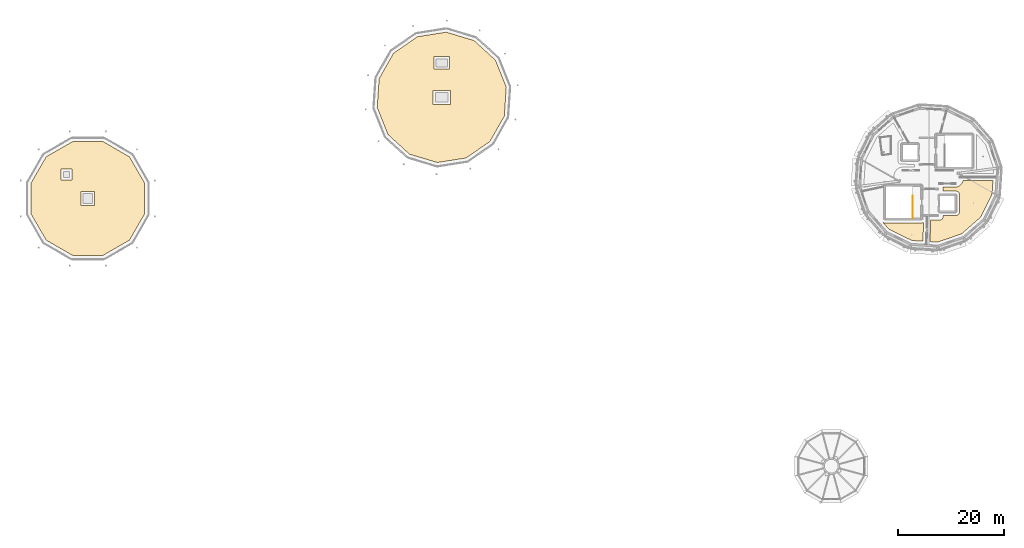
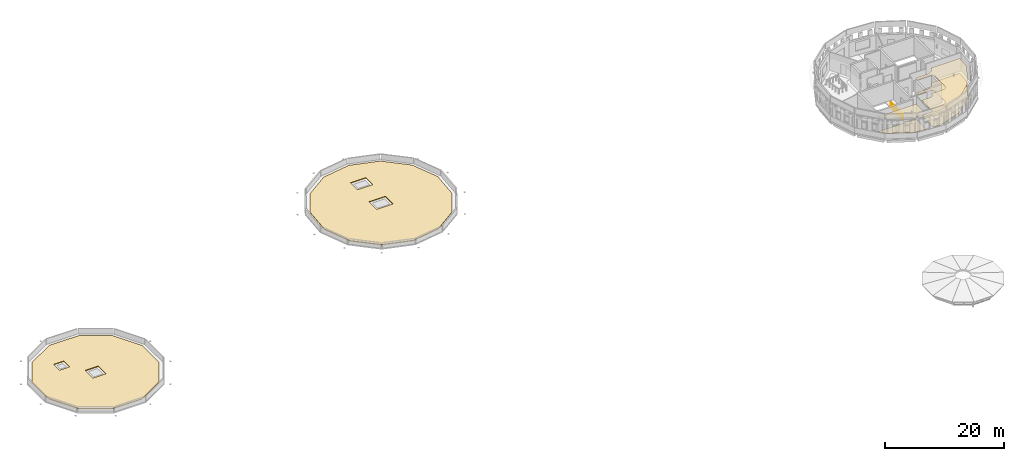
# One storey, part 17 of 18: 6 coverings, 1 railing.
"""IFC4 building model written with IfcOpenShell, lengths in metres."""

from ifc_helpers import new_model, si_unit, direction, frame, origin, origin_2d, place, context, subcontext, project, spatial, polyline, circle, outline, extrude, material, layer, layer_set, type_object, element, save


model = new_model("IFC4")

# Units and contexts
model_context = context("Model", 3, precision=1e-05, world=origin(), true_north=direction((0.0, 1.0)))
body_context = subcontext(model_context, "Body", "Model", "MODEL_VIEW")
ifc_project = project(units=[si_unit("LENGTHUNIT", "METRE"), si_unit("AREAUNIT", "SQUARE_METRE"), si_unit("VOLUMEUNIT", "CUBIC_METRE"), si_unit("PLANEANGLEUNIT", "RADIAN"), si_unit("MASSUNIT", "GRAM", prefix="KILO")], contexts=[model_context])

# Site, building, storey
site_placement = place(None, origin())
site = spatial("IfcSite", under=ifc_project, at=site_placement, CompositionType="ELEMENT")
building_placement = place(site_placement, origin())
building = spatial("IfcBuilding", under=site, at=building_placement, Name="Wrenclough Park School", CompositionType="ELEMENT")
storey_placement = place(building_placement, frame((0.0, 0.0, 20.800048828125)))
storey = spatial("IfcBuildingStorey", under=building, at=storey_placement, Name="L05", CompositionType="ELEMENT", Elevation=20.800048828125)

# Coverings
ifc_material_1 = material(Name="Extensive sedum and wildflower green roof build-up", Category="masonry")
ifc_layer_1 = layer(ifc_material_1, 0.14990234375)
ifc_layer_set_1 = layer_set([ifc_layer_1], Name="Extensive sedum and wildflower green roof build-up")
covering_type_1 = type_object("IfcCoveringType", Name="ENV-COV-GREEN", PredefinedType="ROOFING", material=ifc_layer_set_1)
covering_1_placement = place(storey_placement, origin())
element("IfcCovering", 1, at=covering_1_placement, inside=storey, type_object=covering_type_1, Name="Cylindrical drum roof covering COV-RF-D3", PredefinedType="ROOFING", context=body_context, shape_type="SweptSolid", body=[
    extrude(outline(polyline([(24.326416015625, 81.673583984375), (27.191162109375, 86.635498046875), (27.191162109375, 92.364501953125), (24.326416015625, 97.326416015625), (19.364501953125, 100.191162109375), (13.635498046875, 100.191162109375), (8.673583984375, 97.326416015625), (5.808837890625, 92.364501953125), (5.808837890625, 86.635498046875), (8.673583984375, 81.673583984375), (13.635498046875, 78.808837890625), (19.364501953125, 78.808837890625), (24.326416015625, 81.673583984375)]), holes=[polyline([(15.199951171875, 90.800048828125), (15.199951171875, 88.199951171875), (17.800048828125, 88.199951171875), (17.800048828125, 90.800048828125), (15.199951171875, 90.800048828125)]), polyline([(13.5, 95.0), (11.5, 95.0), (11.5, 93.0), (13.5, 93.0), (13.5, 95.0)])]), origin(), (0.0, 0.0, 1.0), 0.14990234375),
])
covering_2_placement = place(storey_placement, origin())
element("IfcCovering", 2, at=covering_2_placement, inside=storey, type_object=covering_type_1, Name="Cylindrical drum roof covering COV-RF-D4", PredefinedType="ROOFING", context=body_context, shape_type="SweptSolid", body=[
    extrude(outline(polyline([(92.061767578125, 100.217041015625), (94.75830078125, 104.96923828125), (95.125732421875, 110.42041015625), (93.091552734375, 115.491455078125), (89.05859375, 119.177734375), (83.825927734375, 120.7490234375), (78.429443359375, 119.894287109375), (73.938232421875, 116.782958984375), (71.24169921875, 112.03076171875), (70.874267578125, 106.57958984375), (72.908447265625, 101.508544921875), (76.94140625, 97.822265625), (82.174072265625, 96.2509765625), (87.570556640625, 97.105712890625), (92.061767578125, 100.217041015625)]), holes=[polyline([(81.39990234375, 109.800048828125), (81.39990234375, 107.199951171875), (84.60009765625, 107.199951171875), (84.60009765625, 109.800048828125), (81.39990234375, 109.800048828125)]), polyline([(84.5, 116.199951171875), (81.5, 116.199951171875), (81.5, 113.800048828125), (84.5, 113.800048828125), (84.5, 116.199951171875)])]), origin(), (0.0, 0.0, 1.0), 0.14990234375),
])
ifc_material_2 = material(Name="Class A mineral-fibre acoustic ceiling raft", Category="gypsum")
ifc_layer_2 = layer(ifc_material_2, 0.044921875)
ifc_layer_set_2 = layer_set([ifc_layer_2], Name="Class A mineral-fibre acoustic ceiling raft")
covering_type_2 = type_object("IfcCoveringType", Name="INT-COV-CEIL", PredefinedType="CEILING", material=ifc_layer_set_2)
covering_3_placement = place(storey_placement, frame((0.0, 0.0, 3.054931640625)))
element("IfcCovering", 3, at=covering_3_placement, inside=storey, type_object=covering_type_2, Name="Sixth Form Silent Study Hall acoustic ceiling raft", PredefinedType="CEILING", context=body_context, shape_type="SweptSolid", body=[
    extrude(outline(polyline([(179.56298828125, 91.62060546875), (177.162841796875, 91.61083984375), (177.169921875, 91.52001953125), (177.169921875, 90.8701171875), (179.68359375, 90.866943359375), (179.80859375, 90.842041015625), (179.86865234375, 90.820556640625), (179.981201171875, 90.760498046875), (180.07958984375, 90.6796875), (180.160400390625, 90.5810546875), (180.193115234375, 90.5263671875), (180.241943359375, 90.40869140625), (180.257568359375, 90.3466796875), (180.27001953125, 90.219970703125), (180.27001953125, 86.97998046875), (180.257568359375, 86.853271484375), (180.220458984375, 86.731201171875), (180.193115234375, 86.673583984375), (180.12255859375, 86.567626953125), (180.07958984375, 86.5205078125), (179.981201171875, 86.439453125), (179.86865234375, 86.37939453125), (179.80859375, 86.35791015625), (179.68359375, 86.3330078125), (177.169921875, 86.330078125), (177.1669921875, 86.016357421875), (177.14208984375, 85.891357421875), (177.09326171875, 85.773681640625), (177.0224609375, 85.66748046875), (176.9794921875, 85.620361328125), (176.881103515625, 85.53955078125), (176.768798828125, 85.4794921875), (176.646728515625, 85.4423828125), (176.52001953125, 85.429931640625), (174.86865234375, 85.429931640625), (174.727294921875, 81.382568359375), (176.107177734375, 81.2919921875), (180.656494140625, 82.836181640625), (184.268798828125, 86.00390625), (186.393798828125, 90.31298828125), (186.56005859375, 92.85009765625), (180.950927734375, 92.85009765625), (180.864990234375, 92.588623046875), (180.687255859375, 92.283447265625), (180.643798828125, 92.2197265625), (180.593017578125, 92.16162109375), (180.40771484375, 91.978515625), (180.18115234375, 91.822998046875), (180.1123046875, 91.782958984375), (180.039306640625, 91.751708984375), (179.708740234375, 91.6376953125), (179.636474609375, 91.625), (179.56298828125, 91.62060546875)])), origin(), (0.0, 0.0, 1.0), 0.044921875),
])
covering_4_placement = place(storey_placement, frame((0.0, 0.0, 3.054931640625)))
element("IfcCovering", 4, at=covering_4_placement, inside=storey, type_object=covering_type_2, Name="Sixth Form Common Studio acoustic ceiling raft", PredefinedType="CEILING", context=body_context, shape_type="SweptSolid", body=[
    extrude(outline(polyline([(165.931396484375, 84.9794921875), (165.893798828125, 84.997314453125), (167.00390625, 83.731201171875), (171.31298828125, 81.606201171875), (173.409423828125, 81.46875), (173.533203125, 85.0107421875), (173.40869140625, 84.9580078125), (173.3466796875, 84.9423828125), (173.219970703125, 84.929931640625), (166.179931640625, 84.929931640625), (166.05322265625, 84.9423828125), (165.931396484375, 84.9794921875)])), origin(), (0.0, 0.0, 1.0), 0.044921875),
])
ifc_material_3 = material(Name="Acoustic natural linoleum school flooring", Category="wood")
ifc_layer_3 = layer(ifc_material_3, 0.014892578125)
ifc_layer_set_3 = layer_set([ifc_layer_3], Name="Acoustic natural linoleum school flooring")
covering_type_3 = type_object("IfcCoveringType", Name="INT-COV-FLOOR1", PredefinedType="FLOORING", material=ifc_layer_set_3)
covering_5_placement = place(storey_placement, origin())
element("IfcCovering", 5, at=covering_5_placement, inside=storey, type_object=covering_type_3, Name="Sixth Form Silent Study Hall floor finish", PredefinedType="FLOORING", context=body_context, shape_type="SweptSolid", body=[
    extrude(outline(polyline([(179.56298828125, 91.62060546875), (177.162841796875, 91.61083984375), (177.169921875, 91.52001953125), (177.169921875, 90.8701171875), (179.68359375, 90.866943359375), (179.80859375, 90.842041015625), (179.86865234375, 90.820556640625), (179.981201171875, 90.760498046875), (180.07958984375, 90.6796875), (180.160400390625, 90.5810546875), (180.193115234375, 90.5263671875), (180.241943359375, 90.40869140625), (180.257568359375, 90.3466796875), (180.27001953125, 90.219970703125), (180.27001953125, 86.97998046875), (180.257568359375, 86.853271484375), (180.220458984375, 86.731201171875), (180.193115234375, 86.673583984375), (180.12255859375, 86.567626953125), (180.07958984375, 86.5205078125), (179.981201171875, 86.439453125), (179.86865234375, 86.37939453125), (179.80859375, 86.35791015625), (179.68359375, 86.3330078125), (177.169921875, 86.330078125), (177.1669921875, 86.016357421875), (177.14208984375, 85.891357421875), (177.09326171875, 85.773681640625), (177.0224609375, 85.66748046875), (176.9794921875, 85.620361328125), (176.881103515625, 85.53955078125), (176.768798828125, 85.4794921875), (176.646728515625, 85.4423828125), (176.52001953125, 85.429931640625), (174.86865234375, 85.429931640625), (174.727294921875, 81.382568359375), (176.107177734375, 81.2919921875), (180.656494140625, 82.836181640625), (184.268798828125, 86.00390625), (186.393798828125, 90.31298828125), (186.56005859375, 92.85009765625), (180.950927734375, 92.85009765625), (180.864990234375, 92.588623046875), (180.687255859375, 92.283447265625), (180.643798828125, 92.2197265625), (180.593017578125, 92.16162109375), (180.40771484375, 91.978515625), (180.18115234375, 91.822998046875), (180.1123046875, 91.782958984375), (180.039306640625, 91.751708984375), (179.708740234375, 91.6376953125), (179.636474609375, 91.625), (179.56298828125, 91.62060546875)])), origin(), (0.0, 0.0, 1.0), 0.014892578125),
])
ifc_material_4 = material(Name="Sprung polymeric sports hall flooring", Category="wood")
ifc_layer_4 = layer(ifc_material_4, 0.02197265625)
ifc_layer_set_4 = layer_set([ifc_layer_4], Name="Sprung polymeric sports hall flooring")
covering_type_4 = type_object("IfcCoveringType", Name="INT-COV-FLOOR2", PredefinedType="FLOORING", material=ifc_layer_set_4)
covering_6_placement = place(storey_placement, origin())
element("IfcCovering", 6, at=covering_6_placement, inside=storey, type_object=covering_type_4, Name="Sixth Form Common Studio floor finish", PredefinedType="FLOORING", context=body_context, shape_type="SweptSolid", body=[
    extrude(outline(polyline([(165.931396484375, 84.9794921875), (165.893798828125, 84.997314453125), (167.00390625, 83.731201171875), (171.31298828125, 81.606201171875), (173.409423828125, 81.46875), (173.533203125, 85.0107421875), (173.40869140625, 84.9580078125), (173.3466796875, 84.9423828125), (173.219970703125, 84.929931640625), (166.179931640625, 84.929931640625), (166.05322265625, 84.9423828125), (165.931396484375, 84.9794921875)])), origin(), (0.0, 0.0, 1.0), 0.02197265625),
])

# Railing
ifc_material_5 = material(Name="Powder-coated steel vertical-baluster stair and atrium guard", Category="steel")
railing_type = type_object("IfcRailingType", Name="INT-RL-GD1120", PredefinedType="GUARDRAIL", material=ifc_material_5)
railing_placement = place(storey_placement, frame((171.4951171875, 85.840087890625, 0.0)))
element("IfcRailing", 7, at=railing_placement, inside=storey, type_object=railing_type, Name="ST-05 L05 top landing guard", PredefinedType="GUARDRAIL", context=body_context, shape_type="SweptSolid", body=[
    extrude(circle(Radius=0.02392578125, at=origin_2d()), frame((0.0, 0.0, 1.09619140625), z_axis=(0.0, 1.0, 0.0), x_axis=(-1.0, 0.0, 0.0)), (0.0, 0.0, 1.0), 4.10986328125),
    extrude(circle(Radius=0.02099609375, at=origin_2d()), origin(), (0.0, 0.0, 1.0), 1.072021484375),
    extrude(circle(Radius=0.02099609375, at=origin_2d()), frame((0.0, 0.822021484375, 0.0)), (0.0, 0.0, 1.0), 1.072021484375),
    extrude(circle(Radius=0.02099609375, at=origin_2d()), frame((0.0, 1.64404296875, 0.0)), (0.0, 0.0, 1.0), 1.072021484375),
    extrude(circle(Radius=0.02099609375, at=origin_2d()), frame((0.0, 2.4658203125, 0.0)), (0.0, 0.0, 1.0), 1.072021484375),
    extrude(circle(Radius=0.02099609375, at=origin_2d()), frame((0.0, 3.287841796875, 0.0)), (0.0, 0.0, 1.0), 1.072021484375),
    extrude(circle(Radius=0.02099609375, at=origin_2d()), frame((0.0, 4.10986328125, 0.0)), (0.0, 0.0, 1.0), 1.072021484375),
])

save(model, "model.ifc")
